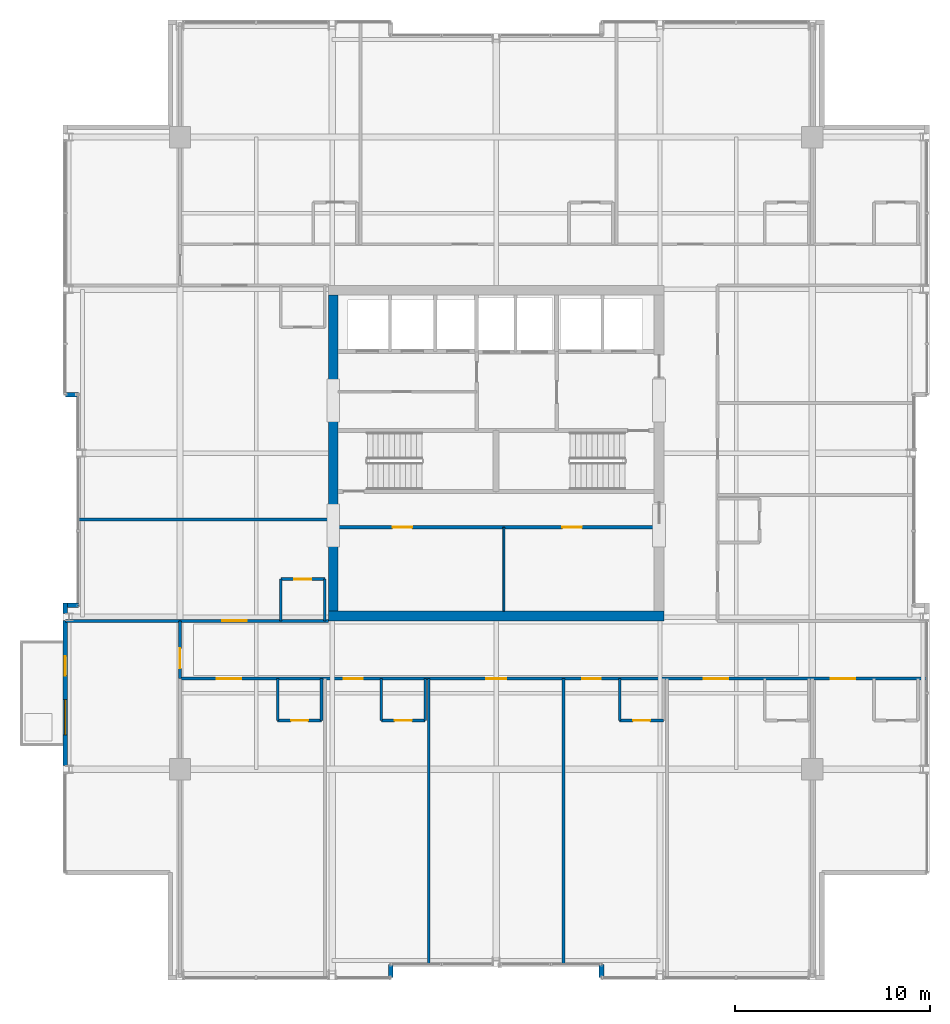
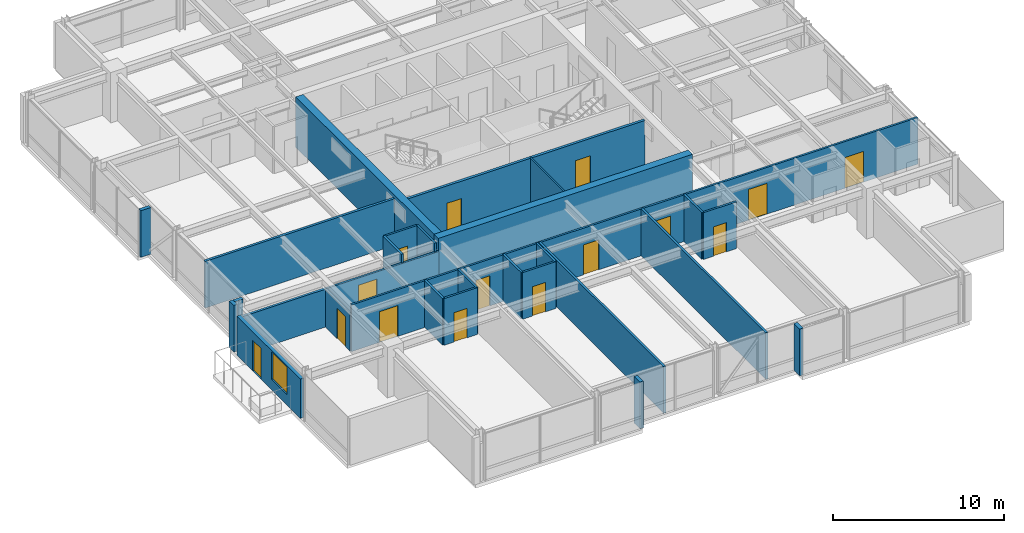
# One storey, part 26 of 32: 28 walls, 15 doors, 1 window, 16 openings.
"""IFC4 building model written with IfcOpenShell, lengths in metres."""

from ifc_helpers import new_model, si_unit, direction, frame, frame_2d, origin, place, context, subcontext, project, spatial, rectangle, extrude, material, layer, layer_set, type_object, element, fill, save


model = new_model("IFC4")

# Units and contexts
model_context = context("Model", 3, precision=1e-05, world=origin(), true_north=direction((0.0, 1.0)))
body_context = subcontext(model_context, "Body", "Model", "MODEL_VIEW")
ifc_project = project(units=[si_unit("LENGTHUNIT", "METRE"), si_unit("AREAUNIT", "SQUARE_METRE"), si_unit("VOLUMEUNIT", "CUBIC_METRE"), si_unit("PLANEANGLEUNIT", "RADIAN"), si_unit("MASSUNIT", "GRAM", prefix="KILO")], contexts=[model_context])

# Site, building, storey
site_placement = place(None, origin())
site = spatial("IfcSite", under=ifc_project, at=site_placement, CompositionType="ELEMENT")
building_placement = place(site_placement, origin())
building = spatial("IfcBuilding", under=site, at=building_placement, Name="Drelvath Grand Hotel", CompositionType="ELEMENT")
storey_placement = place(building_placement, frame((0.0, 0.0, 226.699951171875)))
storey = spatial("IfcBuildingStorey", under=building, at=storey_placement, Name="L59", CompositionType="ELEMENT", Elevation=226.699951171875)

# Wall
ifc_material_1 = material(Name="Gypsum Partition Board")
ifc_layer_1 = layer(ifc_material_1, 0.10009765625)
ifc_layer_set_1 = layer_set([ifc_layer_1], Name="Gypsum Partition Board")
wall_type_1 = type_object("IfcWallType", Name="Core Closet Partition 100", PredefinedType="PARTITIONING", material=ifc_layer_set_1)
wall_1_placement = place(storey_placement, frame((0.39990234375, 18.89990234375, 0.0), z_axis=(0.0, 0.0, 1.0), x_axis=(0.0, 1.0, 0.0)))
element("IfcWall", 1, at=wall_1_placement, inside=storey, type_object=wall_type_1, Name="L59 Upper Core Split 0", PredefinedType="PARTITIONING", context=body_context, shape_type="SweptSolid", body=[
    extrude(rectangle(XDim=4.300048828125, YDim=0.10009765625, at=frame_2d((2.14990234375, 0.0))), origin(), (0.0, 0.0, 1.0), 3.340087890625),
])

# Wall, openings, doors
ifc_material_2 = material(Name="Gypsum Fireboard Partition")
ifc_layer_2 = layer(ifc_material_2, 0.135009765625)
ifc_layer_set_2 = layer_set([ifc_layer_2], Name="Gypsum Fireboard Partition")
wall_type_2 = type_object("IfcWallType", Name="Corridor Fire Barrier Wall 135", PredefinedType="PARTITIONING", material=ifc_layer_set_2)
wall_2_placement = place(storey_placement, frame((-16.199951171875, 15.449951171875, 0.0), z_axis=(0.0, 0.0, 1.0), x_axis=(1.0, 0.0, 0.0)))
wall_2 = element("IfcWall", 2, at=wall_2_placement, inside=storey, type_object=wall_type_2, Name="L59 South Cross-Gallery Wall", PredefinedType="PARTITIONING", context=body_context, shape_type="SweptSolid", body=[
    extrude(rectangle(XDim=38.280029296875, YDim=0.135009765625, at=frame_2d((19.14013671875, 0.0))), origin(), (0.0, 0.0, 1.0), 3.340087890625),
])
opening_1_placement = place(wall_2_placement, frame((33.35498046875, 0.0, 0.0)))
opening_1 = element("IfcOpeningElement", 3, at=opening_1_placement, cuts=wall_2, Name="Opening D-T4G3-020", PredefinedType="OPENING", context=body_context, shape_type="SweptSolid", body=[
    extrude(rectangle(XDim=1.260009765625, YDim=2.199951171875, at=frame_2d((0.6298828125, 1.10009765625))), frame((0.0, 0.077392578125, 0.0), z_axis=(0.0, -1.0, 0.0), x_axis=(1.0, 0.0, 0.0)), (0.0, 0.0, 1.0), 0.155029296875),
])
opening_2_placement = place(wall_2_placement, frame((1.873046875, 0.0, 0.0)))
opening_2 = element("IfcOpeningElement", 4, at=opening_2_placement, cuts=wall_2, Name="Opening D-T4G3-024", PredefinedType="OPENING", context=body_context, shape_type="SweptSolid", body=[
    extrude(rectangle(XDim=1.260009765625, YDim=2.199951171875, at=frame_2d((0.6298828125, 1.10009765625))), frame((0.0, 0.077392578125, 0.0), z_axis=(0.0, -1.0, 0.0), x_axis=(1.0, 0.0, 0.0)), (0.0, 0.0, 1.0), 0.155029296875),
])
opening_3_placement = place(wall_2_placement, frame((8.396728515625, 0.0, 0.0)))
opening_3 = element("IfcOpeningElement", 5, at=opening_3_placement, cuts=wall_2, Name="Opening D-T4G3-026", PredefinedType="OPENING", context=body_context, shape_type="SweptSolid", body=[
    extrude(rectangle(XDim=0.9599609375, YDim=2.14990234375, at=frame_2d((0.47998046875, 1.074951171875))), frame((0.0, 0.077392578125, 0.0), z_axis=(0.0, -1.0, 0.0), x_axis=(1.0, 0.0, 0.0)), (0.0, 0.0, 1.0), 0.155029296875),
])
opening_4_placement = place(wall_2_placement, frame((15.68994140625, 0.0, 0.0)))
opening_4 = element("IfcOpeningElement", 6, at=opening_4_placement, cuts=wall_2, Name="Opening D-T4G3-027", PredefinedType="OPENING", context=body_context, shape_type="SweptSolid", body=[
    extrude(rectangle(XDim=1.02001953125, YDim=2.14990234375, at=frame_2d((0.510009765625, 1.074951171875))), frame((0.0, 0.077392578125, 0.0), z_axis=(0.0, -1.0, 0.0), x_axis=(1.0, 0.0, 0.0)), (0.0, 0.0, 1.0), 0.155029296875),
])
opening_5_placement = place(wall_2_placement, frame((20.61328125, 0.0, 0.0)))
opening_5 = element("IfcOpeningElement", 7, at=opening_5_placement, cuts=wall_2, Name="Opening D-T4G3-029", PredefinedType="OPENING", context=body_context, shape_type="SweptSolid", body=[
    extrude(rectangle(XDim=0.9599609375, YDim=2.14990234375, at=frame_2d((0.47998046875, 1.074951171875))), frame((0.0, 0.077392578125, 0.0), z_axis=(0.0, -1.0, 0.0), x_axis=(1.0, 0.0, 0.0)), (0.0, 0.0, 1.0), 0.155029296875),
])
opening_6_placement = place(wall_2_placement, frame((26.8369140625, 0.0, 0.0)))
opening_6 = element("IfcOpeningElement", 8, at=opening_6_placement, cuts=wall_2, Name="Opening D-T4G3-031", PredefinedType="OPENING", context=body_context, shape_type="SweptSolid", body=[
    extrude(rectangle(XDim=1.260009765625, YDim=2.199951171875, at=frame_2d((0.6298828125, 1.10009765625))), frame((0.0, 0.077392578125, 0.0), z_axis=(0.0, -1.0, 0.0), x_axis=(1.0, 0.0, 0.0)), (0.0, 0.0, 1.0), 0.155029296875),
])
ifc_material_3 = material(Name="Hardwood Walnut Timber", Category="wood")
door_type_1 = type_object("IfcDoorType", Name="Amenity Meeting Fire Door 1020x2150", OperationType="NOTDEFINED", PredefinedType="DOOR", material=ifc_material_3)
door_1_placement = place(opening_4_placement, origin())
door_1 = element("IfcDoor", 9, at=door_1_placement, inside=storey, type_object=door_type_1, Name="L59 Diplomatic Dining Salon Entry Door", OperationType="SINGLE_SWING_RIGHT", OverallHeight=2.14990234375, OverallWidth=1.02001953125, PredefinedType="DOOR", context=body_context, shape_type="SweptSolid", body=[
    extrude(rectangle(XDim=1.02001953125, YDim=2.14990234375, at=frame_2d((0.510009765625, 1.074951171875))), frame((0.0, 0.02490234375, 0.0), z_axis=(0.0, -1.0, 0.0), x_axis=(1.0, 0.0, 0.0)), (0.0, 0.0, 1.0), 0.050048828125),
])
fill(opening_4, door_1)
door_type_2 = type_object("IfcDoorType", Name="Guestroom Entrance Fire Door 960x2150", OperationType="NOTDEFINED", PredefinedType="DOOR", material=ifc_material_3)
door_2_placement = place(opening_3_placement, origin())
door_2 = element("IfcDoor", 10, at=door_2_placement, inside=storey, type_object=door_type_2, Name="L59 Deluxe Guest Room Entry Door", OperationType="SINGLE_SWING_LEFT", OverallHeight=2.14990234375, OverallWidth=0.9599609375, PredefinedType="DOOR", context=body_context, shape_type="SweptSolid", body=[
    extrude(rectangle(XDim=0.9599609375, YDim=2.14990234375, at=frame_2d((0.47998046875, 1.074951171875))), frame((0.0, 0.02490234375, 0.0), z_axis=(0.0, -1.0, 0.0), x_axis=(1.0, 0.0, 0.0)), (0.0, 0.0, 1.0), 0.050048828125),
])
fill(opening_3, door_2)
door_3_placement = place(opening_5_placement, origin())
door_3 = element("IfcDoor", 11, at=door_3_placement, inside=storey, type_object=door_type_2, Name="L59 Deluxe Guest Room Entry Door", OperationType="SINGLE_SWING_RIGHT", OverallHeight=2.14990234375, OverallWidth=0.9599609375, PredefinedType="DOOR", context=body_context, shape_type="SweptSolid", body=[
    extrude(rectangle(XDim=0.9599609375, YDim=2.14990234375, at=frame_2d((0.47998046875, 1.074951171875))), frame((0.0, 0.02490234375, 0.0), z_axis=(0.0, -1.0, 0.0), x_axis=(1.0, 0.0, 0.0)), (0.0, 0.0, 1.0), 0.050048828125),
])
fill(opening_5, door_3)
door_type_3 = type_object("IfcDoorType", Name="Suite Entrance Fire Door 1260x2200", OperationType="NOTDEFINED", PredefinedType="DOOR", material=ifc_material_3)
door_4_placement = place(opening_1_placement, origin())
door_4 = element("IfcDoor", 12, at=door_4_placement, inside=storey, type_object=door_type_3, Name="L59 Diplomatic Suite Entry Door", OperationType="SINGLE_SWING_LEFT", OverallHeight=2.199951171875, OverallWidth=1.260009765625, PredefinedType="DOOR", context=body_context, shape_type="SweptSolid", body=[
    extrude(rectangle(XDim=1.260009765625, YDim=2.199951171875, at=frame_2d((0.6298828125, 1.10009765625))), frame((0.0, 0.02490234375, 0.0), z_axis=(0.0, -1.0, 0.0), x_axis=(1.0, 0.0, 0.0)), (0.0, 0.0, 1.0), 0.050048828125),
])
fill(opening_1, door_4)
door_5_placement = place(opening_2_placement, origin())
door_5 = element("IfcDoor", 13, at=door_5_placement, inside=storey, type_object=door_type_3, Name="L59 Diplomatic Suite Entry Door", OperationType="SINGLE_SWING_LEFT", OverallHeight=2.199951171875, OverallWidth=1.260009765625, PredefinedType="DOOR", context=body_context, shape_type="SweptSolid", body=[
    extrude(rectangle(XDim=1.260009765625, YDim=2.199951171875, at=frame_2d((0.6298828125, 1.10009765625))), frame((0.0, 0.02490234375, 0.0), z_axis=(0.0, -1.0, 0.0), x_axis=(1.0, 0.0, 0.0)), (0.0, 0.0, 1.0), 0.050048828125),
])
fill(opening_2, door_5)
door_6_placement = place(opening_6_placement, origin())
door_6 = element("IfcDoor", 14, at=door_6_placement, inside=storey, type_object=door_type_3, Name="L59 Diplomatic Suite Entry Door", OperationType="SINGLE_SWING_RIGHT", OverallHeight=2.199951171875, OverallWidth=1.260009765625, PredefinedType="DOOR", context=body_context, shape_type="SweptSolid", body=[
    extrude(rectangle(XDim=1.260009765625, YDim=2.199951171875, at=frame_2d((0.6298828125, 1.10009765625))), frame((0.0, 0.02490234375, 0.0), z_axis=(0.0, -1.0, 0.0), x_axis=(1.0, 0.0, 0.0)), (0.0, 0.0, 1.0), 0.050048828125),
])
fill(opening_6, door_6)

# Wall, opening, door
wall_3_placement = place(storey_placement, frame((-16.199951171875, 18.39990234375, 0.0), z_axis=(0.0, 0.0, 1.0), x_axis=(1.0, 0.0, 0.0)))
wall_3 = element("IfcWall", 15, at=wall_3_placement, inside=storey, type_object=wall_type_2, Name="L59 South Gallery Inner West Wall", PredefinedType="PARTITIONING", context=body_context, shape_type="SweptSolid", body=[
    extrude(rectangle(XDim=7.599853515625, YDim=0.135009765625, at=frame_2d((3.7998046875, 0.0))), origin(), (0.0, 0.0, 1.0), 2.717529296875),
])
opening_7_placement = place(wall_3_placement, frame((2.155029296875, 0.0, 0.0)))
opening_7 = element("IfcOpeningElement", 16, at=opening_7_placement, cuts=wall_3, Name="Opening D-T4G3-043", PredefinedType="OPENING", context=body_context, shape_type="SweptSolid", body=[
    extrude(rectangle(XDim=1.260009765625, YDim=2.199951171875, at=frame_2d((0.6298828125, 1.10009765625))), frame((0.0, 0.077392578125, 0.0), z_axis=(0.0, -1.0, 0.0), x_axis=(1.0, 0.0, 0.0)), (0.0, 0.0, 1.0), 0.155029296875),
])
door_7_placement = place(opening_7_placement, origin())
door_7 = element("IfcDoor", 17, at=door_7_placement, inside=storey, type_object=door_type_3, Name="L59 Diplomatic Suite Entry Door", OperationType="SINGLE_SWING_RIGHT", OverallHeight=2.199951171875, OverallWidth=1.260009765625, PredefinedType="DOOR", context=body_context, shape_type="SweptSolid", body=[
    extrude(rectangle(XDim=1.260009765625, YDim=2.199951171875, at=frame_2d((0.6298828125, 1.10009765625))), frame((0.0, 0.02490234375, 0.0), z_axis=(0.0, -1.0, 0.0), x_axis=(1.0, 0.0, 0.0)), (0.0, 0.0, 1.0), 0.050048828125),
])
fill(opening_7, door_7)

wall_4_placement = place(storey_placement, frame((-16.199951171875, 15.449951171875, 0.0), z_axis=(0.0, 0.0, 1.0), x_axis=(0.0, 1.0, 0.0)))
wall_4 = element("IfcWall", 18, at=wall_4_placement, inside=storey, type_object=wall_type_2, Name="L59 South Gallery West End", PredefinedType="PARTITIONING", context=body_context, shape_type="SweptSolid", body=[
    extrude(rectangle(XDim=2.949951171875, YDim=0.135009765625, at=frame_2d((1.47509765625, 0.0))), origin(), (0.0, 0.0, 1.0), 2.7138671875),
])
opening_8_placement = place(wall_4_placement, frame((0.52001953125, 0.0, 0.0)))
opening_8 = element("IfcOpeningElement", 19, at=opening_8_placement, cuts=wall_4, Name="Opening D-T4G3-017", PredefinedType="OPENING", context=body_context, shape_type="SweptSolid", body=[
    extrude(rectangle(XDim=1.02001953125, YDim=2.14990234375, at=frame_2d((0.510009765625, 1.074951171875))), frame((0.0, 0.077392578125, 0.0), z_axis=(0.0, -1.0, 0.0), x_axis=(1.0, 0.0, 0.0)), (0.0, 0.0, 1.0), 0.155029296875),
])
door_8_placement = place(opening_8_placement, origin())
door_8 = element("IfcDoor", 20, at=door_8_placement, inside=storey, type_object=door_type_1, Name="L59 Corner Panorama Lounge Door", OperationType="SINGLE_SWING_RIGHT", OverallHeight=2.14990234375, OverallWidth=1.02001953125, PredefinedType="DOOR", context=body_context, shape_type="SweptSolid", body=[
    extrude(rectangle(XDim=1.02001953125, YDim=2.14990234375, at=frame_2d((0.510009765625, 1.074951171875))), frame((0.0, 0.02490234375, 0.0), z_axis=(0.0, -1.0, 0.0), x_axis=(1.0, 0.0, 0.0)), (0.0, 0.0, 1.0), 0.050048828125),
])
fill(opening_8, door_8)

# Walls
ifc_material_4 = material(Name="Moisture-Resistant Gypsum Board")
ifc_layer_3 = layer(ifc_material_4, 0.139892578125)
ifc_layer_set_3 = layer_set([ifc_layer_3], Name="Moisture-Resistant Gypsum Board")
wall_type_3 = type_object("IfcWallType", Name="En-Suite Plumbing Wall 140", PredefinedType="PLUMBINGWALL", material=ifc_layer_set_3)
for number, where, z_axis, x_axis, name in (
    (21, (-11.19384765625, 15.449951171875, 0.0), (0.0, 0.0, 1.0), (0.0, -1.0, 0.0), "L59 En-Suite Left Wall"),
    (22, (-8.94384765625, 15.449951171875, 0.0), (0.0, 0.0, 1.0), (0.0, -1.0, 0.0), "L59 En-Suite Right Wall"),
):
    element("IfcWall", number, at=place(storey_placement, frame(where, z_axis=z_axis, x_axis=x_axis)), inside=storey, type_object=wall_type_3, Name=name, PredefinedType="PLUMBINGWALL", context=body_context, shape_type="SweptSolid", body=[
        extrude(rectangle(XDim=2.14990234375, YDim=0.139892578125, at=frame_2d((1.074951171875, 0.0))), origin(), (0.0, 0.0, 1.0), 3.340087890625),
    ])

# Wall, opening, door
wall_5_placement = place(storey_placement, frame((-11.19384765625, 13.300048828125, 0.0), z_axis=(0.0, 0.0, 1.0), x_axis=(1.0, 0.0, 0.0)))
wall_5 = element("IfcWall", 23, at=wall_5_placement, inside=storey, type_object=wall_type_3, Name="L59 En-Suite Front Wall", PredefinedType="PLUMBINGWALL", context=body_context, shape_type="SweptSolid", body=[
    extrude(rectangle(XDim=2.25, YDim=0.139892578125, at=frame_2d((1.125, 0.0))), origin(), (0.0, 0.0, 1.0), 3.340087890625),
])
opening_9_placement = place(wall_5_placement, frame((0.68505859375, 0.0, 0.0)))
opening_9 = element("IfcOpeningElement", 24, at=opening_9_placement, cuts=wall_5, Name="Opening D-T4G3-023", PredefinedType="OPENING", context=body_context, shape_type="SweptSolid", body=[
    extrude(rectangle(XDim=0.8798828125, YDim=2.10009765625, at=frame_2d((0.43994140625, 1.050048828125))), frame((0.0, 0.079833984375, 0.0), z_axis=(0.0, -1.0, 0.0), x_axis=(1.0, 0.0, 0.0)), (0.0, 0.0, 1.0), 0.159912109375),
])
door_type_4 = type_object("IfcDoorType", Name="En-Suite Bathroom Door 880x2100", OperationType="NOTDEFINED", PredefinedType="DOOR", material=ifc_material_3)
door_9_placement = place(opening_9_placement, origin())
door_9 = element("IfcDoor", 25, at=door_9_placement, inside=storey, type_object=door_type_4, Name="L59 En-Suite Bathroom Door", OperationType="SINGLE_SWING_RIGHT", OverallHeight=2.10009765625, OverallWidth=0.8798828125, PredefinedType="DOOR", context=body_context, shape_type="SweptSolid", body=[
    extrude(rectangle(XDim=0.8798828125, YDim=2.10009765625, at=frame_2d((0.43994140625, 1.050048828125))), frame((0.0, 0.02490234375, 0.0), z_axis=(0.0, -1.0, 0.0), x_axis=(1.0, 0.0, 0.0)), (0.0, 0.0, 1.0), 0.050048828125),
])
fill(opening_9, door_9)

# Walls
for number, where, z_axis, x_axis, name in (
    (26, (-5.882568359375, 15.449951171875, 0.0), (0.0, 0.0, 1.0), (0.0, -1.0, 0.0), "L59 En-Suite Left Wall"),
    (27, (-3.632568359375, 15.449951171875, 0.0), (0.0, 0.0, 1.0), (0.0, -1.0, 0.0), "L59 En-Suite Right Wall"),
):
    element("IfcWall", number, at=place(storey_placement, frame(where, z_axis=z_axis, x_axis=x_axis)), inside=storey, type_object=wall_type_3, Name=name, PredefinedType="PLUMBINGWALL", context=body_context, shape_type="SweptSolid", body=[
        extrude(rectangle(XDim=2.14990234375, YDim=0.139892578125, at=frame_2d((1.074951171875, 0.0))), origin(), (0.0, 0.0, 1.0), 3.340087890625),
    ])

# Wall, opening, door
wall_6_placement = place(storey_placement, frame((-5.882568359375, 13.300048828125, 0.0), z_axis=(0.0, 0.0, 1.0), x_axis=(1.0, 0.0, 0.0)))
wall_6 = element("IfcWall", 28, at=wall_6_placement, inside=storey, type_object=wall_type_3, Name="L59 En-Suite Front Wall", PredefinedType="PLUMBINGWALL", context=body_context, shape_type="SweptSolid", body=[
    extrude(rectangle(XDim=2.25, YDim=0.139892578125, at=frame_2d((1.125, 0.0))), origin(), (0.0, 0.0, 1.0), 3.340087890625),
])
opening_10_placement = place(wall_6_placement, frame((0.68505859375, 0.0, 0.0)))
opening_10 = element("IfcOpeningElement", 29, at=opening_10_placement, cuts=wall_6, Name="Opening D-T4G3-025", PredefinedType="OPENING", context=body_context, shape_type="SweptSolid", body=[
    extrude(rectangle(XDim=0.8798828125, YDim=2.10009765625, at=frame_2d((0.43994140625, 1.050048828125))), frame((0.0, 0.079833984375, 0.0), z_axis=(0.0, -1.0, 0.0), x_axis=(1.0, 0.0, 0.0)), (0.0, 0.0, 1.0), 0.159912109375),
])
door_10_placement = place(opening_10_placement, origin())
door_10 = element("IfcDoor", 30, at=door_10_placement, inside=storey, type_object=door_type_4, Name="L59 En-Suite Bathroom Door", OperationType="SINGLE_SWING_RIGHT", OverallHeight=2.10009765625, OverallWidth=0.8798828125, PredefinedType="DOOR", context=body_context, shape_type="SweptSolid", body=[
    extrude(rectangle(XDim=0.8798828125, YDim=2.10009765625, at=frame_2d((0.43994140625, 1.050048828125))), frame((0.0, 0.02490234375, 0.0), z_axis=(0.0, -1.0, 0.0), x_axis=(1.0, 0.0, 0.0)), (0.0, 0.0, 1.0), 0.050048828125),
])
fill(opening_10, door_10)

# Wall
wall_7_placement = place(storey_placement, frame((6.333984375, 15.449951171875, 0.0), z_axis=(0.0, 0.0, 1.0), x_axis=(0.0, -1.0, 0.0)))
element("IfcWall", 31, at=wall_7_placement, inside=storey, type_object=wall_type_3, Name="L59 En-Suite Left Wall", PredefinedType="PLUMBINGWALL", context=body_context, shape_type="SweptSolid", body=[
    extrude(rectangle(XDim=2.14990234375, YDim=0.139892578125, at=frame_2d((1.074951171875, 0.0))), origin(), (0.0, 0.0, 1.0), 3.340087890625),
])

# Wall, opening, door
wall_8_placement = place(storey_placement, frame((6.333984375, 13.300048828125, 0.0), z_axis=(0.0, 0.0, 1.0), x_axis=(1.0, 0.0, 0.0)))
wall_8 = element("IfcWall", 32, at=wall_8_placement, inside=storey, type_object=wall_type_3, Name="L59 En-Suite Front Wall", PredefinedType="PLUMBINGWALL", context=body_context, shape_type="SweptSolid", body=[
    extrude(rectangle(XDim=2.25, YDim=0.139892578125, at=frame_2d((1.125, 0.0))), origin(), (0.0, 0.0, 1.0), 3.340087890625),
])
opening_11_placement = place(wall_8_placement, frame((0.68505859375, 0.0, 0.0)))
opening_11 = element("IfcOpeningElement", 33, at=opening_11_placement, cuts=wall_8, Name="Opening D-T4G3-028", PredefinedType="OPENING", context=body_context, shape_type="SweptSolid", body=[
    extrude(rectangle(XDim=0.8798828125, YDim=2.10009765625, at=frame_2d((0.43994140625, 1.050048828125))), frame((0.0, 0.079833984375, 0.0), z_axis=(0.0, -1.0, 0.0), x_axis=(1.0, 0.0, 0.0)), (0.0, 0.0, 1.0), 0.159912109375),
])
door_11_placement = place(opening_11_placement, origin())
door_11 = element("IfcDoor", 34, at=door_11_placement, inside=storey, type_object=door_type_4, Name="L59 En-Suite Bathroom Door", OperationType="SINGLE_SWING_LEFT", OverallHeight=2.10009765625, OverallWidth=0.8798828125, PredefinedType="DOOR", context=body_context, shape_type="SweptSolid", body=[
    extrude(rectangle(XDim=0.8798828125, YDim=2.10009765625, at=frame_2d((0.43994140625, 1.050048828125))), frame((0.0, 0.02490234375, 0.0), z_axis=(0.0, -1.0, 0.0), x_axis=(1.0, 0.0, 0.0)), (0.0, 0.0, 1.0), 0.050048828125),
])
fill(opening_11, door_11)

# Walls
for number, where, z_axis, x_axis, name in (
    (35, (-11.030029296875, 18.39990234375, 0.0), (0.0, 0.0, 1.0), (0.0, 1.0, 0.0), "L59 En-Suite Left Wall"),
    (36, (-8.780029296875, 18.39990234375, 0.0), (0.0, 0.0, 1.0), (0.0, 1.0, 0.0), "L59 En-Suite Right Wall"),
):
    element("IfcWall", number, at=place(storey_placement, frame(where, z_axis=z_axis, x_axis=x_axis)), inside=storey, type_object=wall_type_3, Name=name, PredefinedType="PLUMBINGWALL", context=body_context, shape_type="SweptSolid", body=[
        extrude(rectangle(XDim=2.150146484375, YDim=0.139892578125, at=frame_2d((1.0751953125, 0.0))), origin(), (0.0, 0.0, 1.0), 3.340087890625),
    ])

# Wall, opening, door
wall_9_placement = place(storey_placement, frame((-11.030029296875, 20.550048828125, 0.0), z_axis=(0.0, 0.0, 1.0), x_axis=(1.0, 0.0, 0.0)))
wall_9 = element("IfcWall", 37, at=wall_9_placement, inside=storey, type_object=wall_type_3, Name="L59 En-Suite Front Wall", PredefinedType="PLUMBINGWALL", context=body_context, shape_type="SweptSolid", body=[
    extrude(rectangle(XDim=2.25, YDim=0.139892578125, at=frame_2d((1.125, 0.0))), origin(), (0.0, 0.0, 1.0), 3.340087890625),
])
opening_12_placement = place(wall_9_placement, frame((0.68505859375, 0.0, 0.0)))
opening_12 = element("IfcOpeningElement", 38, at=opening_12_placement, cuts=wall_9, Name="Opening D-T4G3-042", PredefinedType="OPENING", context=body_context, shape_type="SweptSolid", body=[
    extrude(rectangle(XDim=0.8798828125, YDim=2.10009765625, at=frame_2d((0.43994140625, 1.050048828125))), frame((0.0, 0.079833984375, 0.0), z_axis=(0.0, -1.0, 0.0), x_axis=(1.0, 0.0, 0.0)), (0.0, 0.0, 1.0), 0.159912109375),
])
door_12_placement = place(opening_12_placement, origin())
door_12 = element("IfcDoor", 39, at=door_12_placement, inside=storey, type_object=door_type_4, Name="L59 En-Suite Bathroom Door", OperationType="SINGLE_SWING_LEFT", OverallHeight=2.10009765625, OverallWidth=0.8798828125, PredefinedType="DOOR", context=body_context, shape_type="SweptSolid", body=[
    extrude(rectangle(XDim=0.8798828125, YDim=2.10009765625, at=frame_2d((0.43994140625, 1.050048828125))), frame((0.0, 0.02490234375, 0.0), z_axis=(0.0, -1.0, 0.0), x_axis=(1.0, 0.0, 0.0)), (0.0, 0.0, 1.0), 0.050048828125),
])
fill(opening_12, door_12)

# Wall, openings, doors
ifc_layer_4 = layer(ifc_material_2, 0.179931640625)
ifc_layer_set_4 = layer_set([ifc_layer_4], Name="Gypsum Fireboard Partition")
wall_type_4 = type_object("IfcWallType", Name="FSAE Smoke Lobby Fire Wall 180", PredefinedType="SOLIDWALL", material=ifc_layer_set_4)
wall_10_placement = place(storey_placement, frame((-8.10009765625, 23.199951171875, 0.0), z_axis=(0.0, 0.0, 1.0), x_axis=(1.0, 0.0, 0.0)))
wall_10 = element("IfcWall", 40, at=wall_10_placement, inside=storey, type_object=wall_type_4, Name="L59 Upper Reclaimed Core Wall", PredefinedType="SOLIDWALL", context=body_context, shape_type="SweptSolid", body=[
    extrude(rectangle(XDim=16.2001953125, YDim=0.179931640625, at=frame_2d((8.10009765625, 0.0))), origin(), (0.0, 0.0, 1.0), 3.340087890625),
])
opening_13_placement = place(wall_10_placement, frame((2.800048828125, 0.0, 0.0)))
opening_13 = element("IfcOpeningElement", 41, at=opening_13_placement, cuts=wall_10, Name="Opening D-T4G3-015", PredefinedType="OPENING", context=body_context, shape_type="SweptSolid", body=[
    extrude(rectangle(XDim=1.0, YDim=2.10009765625, at=frame_2d((0.5, 1.050048828125))), frame((0.0, 0.099853515625, 0.0), z_axis=(0.0, -1.0, 0.0), x_axis=(1.0, 0.0, 0.0)), (0.0, 0.0, 1.0), 0.199951171875),
])
opening_14_placement = place(wall_10_placement, frame((11.5, 0.0, 0.0)))
opening_14 = element("IfcOpeningElement", 42, at=opening_14_placement, cuts=wall_10, Name="Opening D-T4G3-016", PredefinedType="OPENING", context=body_context, shape_type="SweptSolid", body=[
    extrude(rectangle(XDim=1.0, YDim=2.10009765625, at=frame_2d((0.5, 1.050048828125))), frame((0.0, 0.099853515625, 0.0), z_axis=(0.0, -1.0, 0.0), x_axis=(1.0, 0.0, 0.0)), (0.0, 0.0, 1.0), 0.199951171875),
])
ifc_material_5 = material(Name="Painted Steel S275", Category="steel")
door_type_5 = type_object("IfcDoorType", Name="Core Service Fire Door 1000x2100", OperationType="NOTDEFINED", PredefinedType="DOOR", material=ifc_material_5)
door_13_placement = place(opening_13_placement, origin())
door_13 = element("IfcDoor", 43, at=door_13_placement, inside=storey, type_object=door_type_5, Name="L59 Housekeeping Door", OperationType="SINGLE_SWING_RIGHT", OverallHeight=2.10009765625, OverallWidth=1.0, PredefinedType="DOOR", context=body_context, shape_type="SweptSolid", body=[
    extrude(rectangle(XDim=1.0, YDim=2.10009765625, at=frame_2d((0.5, 1.050048828125))), frame((0.0, 0.02490234375, 0.0), z_axis=(0.0, -1.0, 0.0), x_axis=(1.0, 0.0, 0.0)), (0.0, 0.0, 1.0), 0.050048828125),
])
fill(opening_13, door_13)
door_14_placement = place(opening_14_placement, origin())
door_14 = element("IfcDoor", 44, at=door_14_placement, inside=storey, type_object=door_type_5, Name="L59 Butler Pantry Door", OperationType="SINGLE_SWING_LEFT", OverallHeight=2.10009765625, OverallWidth=1.0, PredefinedType="DOOR", context=body_context, shape_type="SweptSolid", body=[
    extrude(rectangle(XDim=1.0, YDim=2.10009765625, at=frame_2d((0.5, 1.050048828125))), frame((0.0, 0.02490234375, 0.0), z_axis=(0.0, -1.0, 0.0), x_axis=(1.0, 0.0, 0.0)), (0.0, 0.0, 1.0), 0.050048828125),
])
fill(opening_14, door_14)

# Walls
ifc_material_6 = material(Name="Gypsum Acoustic Partition")
ifc_layer_5 = layer(ifc_material_6, 0.14990234375)
ifc_layer_set_5 = layer_set([ifc_layer_5], Name="Gypsum Acoustic Partition")
wall_type_5 = type_object("IfcWallType", Name="Guestroom Demising Wall 150", PredefinedType="PARTITIONING", material=ifc_layer_set_5)
for number, where, z_axis, x_axis, name in (
    (45, (-3.452392578125, 0.800048828125, 0.0), (0.0, 0.0, 1.0), (0.0, 1.0, 0.0), "L59 South Demising 2"),
    (46, (3.452392578125, 0.800048828125, 0.0), (0.0, 0.0, 1.0), (0.0, 1.0, 0.0), "L59 South Demising 3"),
):
    element("IfcWall", number, at=place(storey_placement, frame(where, z_axis=z_axis, x_axis=x_axis)), inside=storey, type_object=wall_type_5, Name=name, PredefinedType="PARTITIONING", context=body_context, shape_type="SweptSolid", body=[
        extrude(rectangle(XDim=14.64990234375, YDim=0.14990234375, at=frame_2d((7.324951171875, 0.0))), origin(), (0.0, 0.0, 1.0), 3.340087890625),
    ])
ifc_layer_6 = layer(ifc_material_6, 0.1650390625)
ifc_layer_set_6 = layer_set([ifc_layer_6], Name="Gypsum Acoustic Partition")
wall_type_6 = type_object("IfcWallType", Name="Suite Demising Wall 165", PredefinedType="PARTITIONING", material=ifc_layer_set_6)
wall_11_placement = place(storey_placement, frame((-22.080078125, 18.39990234375, 0.0), z_axis=(0.0, 0.0, 1.0), x_axis=(1.0, 0.0, 0.0)))
element("IfcWall", 47, at=wall_11_placement, inside=storey, type_object=wall_type_6, Name="L59 SW Corner North Wall", PredefinedType="PARTITIONING", context=body_context, shape_type="SweptSolid", body=[
    extrude(rectangle(XDim=5.880126953125, YDim=0.1650390625, at=frame_2d((2.93994140625, 0.0))), origin(), (0.0, 0.0, 1.0), 2.7138671875),
])
wall_12_placement = place(storey_placement, frame((-21.39990234375, 23.60009765625, 0.0), z_axis=(0.0, 0.0, 1.0), x_axis=(1.0, 0.0, 0.0)))
element("IfcWall", 48, at=wall_12_placement, inside=storey, type_object=wall_type_6, Name="L59 West Grand Suite Split Wall", PredefinedType="PARTITIONING", context=body_context, shape_type="SweptSolid", body=[
    extrude(rectangle(XDim=12.7998046875, YDim=0.1650390625, at=frame_2d((6.39990234375, 0.0))), origin(), (0.0, 0.0, 1.0), 3.340087890625),
])

# Wall, openings, window, door
ifc_material_7 = material(Name="Pale-Metal Insulated Aluminium Spandrel Assembly", Category="aluminium")
ifc_layer_7 = layer(ifc_material_7, 0.239990234375)
ifc_layer_set_7 = layer_set([ifc_layer_7], Name="Pale-Metal Insulated Aluminium Spandrel Assembly")
wall_type_7 = type_object("IfcWallType", Name="Tower Insulated Metal Spandrel Closure Wall 240", PredefinedType="STANDARD", material=ifc_layer_set_7)
wall_13_placement = place(storey_placement, frame((-22.080078125, 10.9853515625, 0.0), z_axis=(0.0, 0.0, 1.0), x_axis=(0.0, 1.0, 0.0)))
wall_13 = element("IfcWall", 49, at=wall_13_placement, inside=storey, type_object=wall_type_7, Name="L59 Exterior Terrace Door Bay Wall WS2", PredefinedType="STANDARD", context=body_context, shape_type="SweptSolid", body=[
    extrude(rectangle(XDim=7.429443359375, YDim=0.239990234375, at=frame_2d((3.71484375, 0.0))), origin(), (0.0, 0.0, 1.0), 2.803466796875),
])
opening_15_placement = place(wall_13_placement, frame((4.61474609375, 0.0, 0.0)))
opening_15 = element("IfcOpeningElement", 50, at=opening_15_placement, cuts=wall_13, Name="Opening TD-1000", PredefinedType="OPENING", context=body_context, shape_type="SweptSolid", body=[
    extrude(rectangle(XDim=1.0, YDim=2.199951171875, at=frame_2d((0.5, 1.10009765625))), frame((0.0, 0.1298828125, 0.0), z_axis=(0.0, -1.0, 0.0), x_axis=(1.0, 0.0, 0.0)), (0.0, 0.0, 1.0), 0.260009765625),
])
opening_16_placement = place(wall_13_placement, frame((1.5830078125, 0.0, 0.75)))
opening_16 = element("IfcOpeningElement", 51, at=opening_16_placement, cuts=wall_13, Name="Opening W-02", PredefinedType="OPENING", context=body_context, shape_type="SweptSolid", body=[
    extrude(rectangle(XDim=1.800048828125, YDim=1.953369140625, at=frame_2d((0.89990234375, 0.9765625))), frame((0.0, 0.1298828125, 0.0), z_axis=(0.0, -1.0, 0.0), x_axis=(1.0, 0.0, 0.0)), (0.0, 0.0, 1.0), 0.260009765625),
])
ifc_material_8 = material(Name="Bronze Anodised Low-E Triple Glazing", Category="glass")
window_type = type_object("IfcWindowType", Name="Chicago Double-Pane Podium Window 1800x2400", PartitioningType="DOUBLE_PANEL_VERTICAL", PredefinedType="WINDOW", material=ifc_material_8)
window_placement = place(opening_16_placement, origin())
window = element("IfcWindow", 52, at=window_placement, inside=storey, type_object=window_type, Name="L59 Terrace Bay Companion Window WS2", OverallHeight=1.953369140625, OverallWidth=1.800048828125, PartitioningType="SINGLE_PANEL", PredefinedType="WINDOW", context=body_context, shape_type="SweptSolid", body=[
    extrude(rectangle(XDim=1.800048828125, YDim=1.953369140625, at=frame_2d((0.89990234375, 0.9765625))), frame((0.0, 0.030029296875, 0.0), z_axis=(0.0, -1.0, 0.0), x_axis=(1.0, 0.0, 0.0)), (0.0, 0.0, 1.0), 0.06005859375),
])
fill(opening_16, window)
ifc_material_9 = material(Name="Anodised Aluminium Thermally Broken Glazed Door", Category="aluminium")
door_type_6 = type_object("IfcDoorType", Name="Terrace and Tree Balcony Glazed Door 1000x2200", OperationType="NOTDEFINED", PredefinedType="DOOR", material=ifc_material_9)
door_15_placement = place(opening_15_placement, origin())
door_15 = element("IfcDoor", 53, at=door_15_placement, inside=storey, type_object=door_type_6, Name="L59 Tree Balcony Door DOOR-L59-TBAL-1", OperationType="SINGLE_SWING_RIGHT", OverallHeight=2.199951171875, OverallWidth=1.0, PredefinedType="DOOR", context=body_context, shape_type="SweptSolid", body=[
    extrude(rectangle(XDim=1.0, YDim=2.199951171875, at=frame_2d((0.5, 1.10009765625))), frame((0.0, 0.02490234375, 0.0), z_axis=(0.0, -1.0, 0.0), x_axis=(1.0, 0.0, 0.0)), (0.0, 0.0, 1.0), 0.050048828125),
])
fill(opening_15, door_15)

# Walls
wall_14_placement = place(storey_placement, frame((-22.080078125, 18.785400390625, 0.0), z_axis=(0.0, 0.0, 1.0), x_axis=(0.0, 1.0, 0.0)))
element("IfcWall", 54, at=wall_14_placement, inside=storey, type_object=wall_type_7, Name="L59 Corner Pier Spandrel Wall WS3", PredefinedType="STANDARD", context=body_context, shape_type="SweptSolid", body=[
    extrude(rectangle(XDim=0.53466796875, YDim=0.239990234375, at=frame_2d((0.267333984375, 0.0))), origin(), (0.0, 0.0, 1.0), 3.340087890625),
])
wall_15_placement = place(storey_placement, frame((-21.9599609375, 19.199951171875, 0.0), z_axis=(0.0, 0.0, 1.0), x_axis=(1.0, 0.0, 0.0)))
element("IfcWall", 55, at=wall_15_placement, inside=storey, type_object=wall_type_7, Name="L59 Notched Corner Return Spandrel Wall RW1", PredefinedType="STANDARD", context=body_context, shape_type="SweptSolid", body=[
    extrude(rectangle(XDim=0.56005859375, YDim=0.239990234375, at=frame_2d((0.280029296875, 0.0))), origin(), (0.0, 0.0, 1.0), 3.340087890625),
])
wall_16_placement = place(storey_placement, frame((-21.39990234375, 30.0, 0.0), z_axis=(0.0, 0.0, 1.0), x_axis=(-1.0, 0.0, 0.0)))
element("IfcWall", 56, at=wall_16_placement, inside=storey, type_object=wall_type_7, Name="L59 Notched Corner Return Spandrel Wall RW2", PredefinedType="STANDARD", context=body_context, shape_type="SweptSolid", body=[
    extrude(rectangle(XDim=0.68017578125, YDim=0.239990234375, at=frame_2d((0.340087890625, 0.0))), origin(), (0.0, 0.0, 1.0), 3.340087890625),
])
for number, where, z_axis, x_axis, name in (
    (57, (5.39990234375, 0.1201171875, 0.0), (0.0, 0.0, 1.0), (0.0, 1.0, 0.0), "L59 Notched Corner Return Spandrel Wall RS1"),
    (58, (-5.39990234375, 0.800048828125, 0.0), (0.0, 0.0, 1.0), (0.0, -1.0, 0.0), "L59 Notched Corner Return Spandrel Wall RS2"),
):
    element("IfcWall", number, at=place(storey_placement, frame(where, z_axis=z_axis, x_axis=x_axis)), inside=storey, type_object=wall_type_7, Name=name, PredefinedType="STANDARD", context=body_context, shape_type="SweptSolid", body=[
        extrude(rectangle(XDim=0.679931640625, YDim=0.239990234375, at=frame_2d((0.33984375, 0.0))), origin(), (0.0, 0.0, 1.0), 3.340087890625),
    ])
ifc_material_10 = material(Name="Concrete f'c 55 MPa", Category="concrete")
ifc_layer_8 = layer(ifc_material_10, 0.5)
ifc_layer_set_8 = layer_set([ifc_layer_8], Name="Concrete f'c 55 MPa")
wall_type_8 = type_object("IfcWallType", Name="Upper Core RC Shear Wall 500", PredefinedType="SHEAR", material=ifc_layer_set_8)
wall_17_placement = place(storey_placement, frame((8.60009765625, 18.64990234375, 0.0), z_axis=(0.0, 0.0, 1.0), x_axis=(-1.0, 0.0, 0.0)))
element("IfcWall", 59, at=wall_17_placement, inside=storey, type_object=wall_type_8, Name="L59 Central Core Shear Wall S", PredefinedType="SHEAR", context=body_context, shape_type="SweptSolid", body=[
    extrude(rectangle(XDim=17.2001953125, YDim=0.5, at=frame_2d((8.60009765625, 0.0))), origin(), (0.0, 0.0, 1.0), 3.60009765625),
])
wall_18_placement = place(storey_placement, frame((-8.35009765625, 18.89990234375, 0.0), z_axis=(0.0, 0.0, 1.0), x_axis=(0.0, 1.0, 0.0)))
element("IfcWall", 60, at=wall_18_placement, inside=storey, type_object=wall_type_8, Name="L59 Central Core Shear Wall W", PredefinedType="SHEAR", context=body_context, shape_type="SweptSolid", body=[
    extrude(rectangle(XDim=16.2001953125, YDim=0.5, at=frame_2d((8.10009765625, 0.0))), origin(), (0.0, 0.0, 1.0), 3.60009765625),
])

save(model, "model.ifc")
